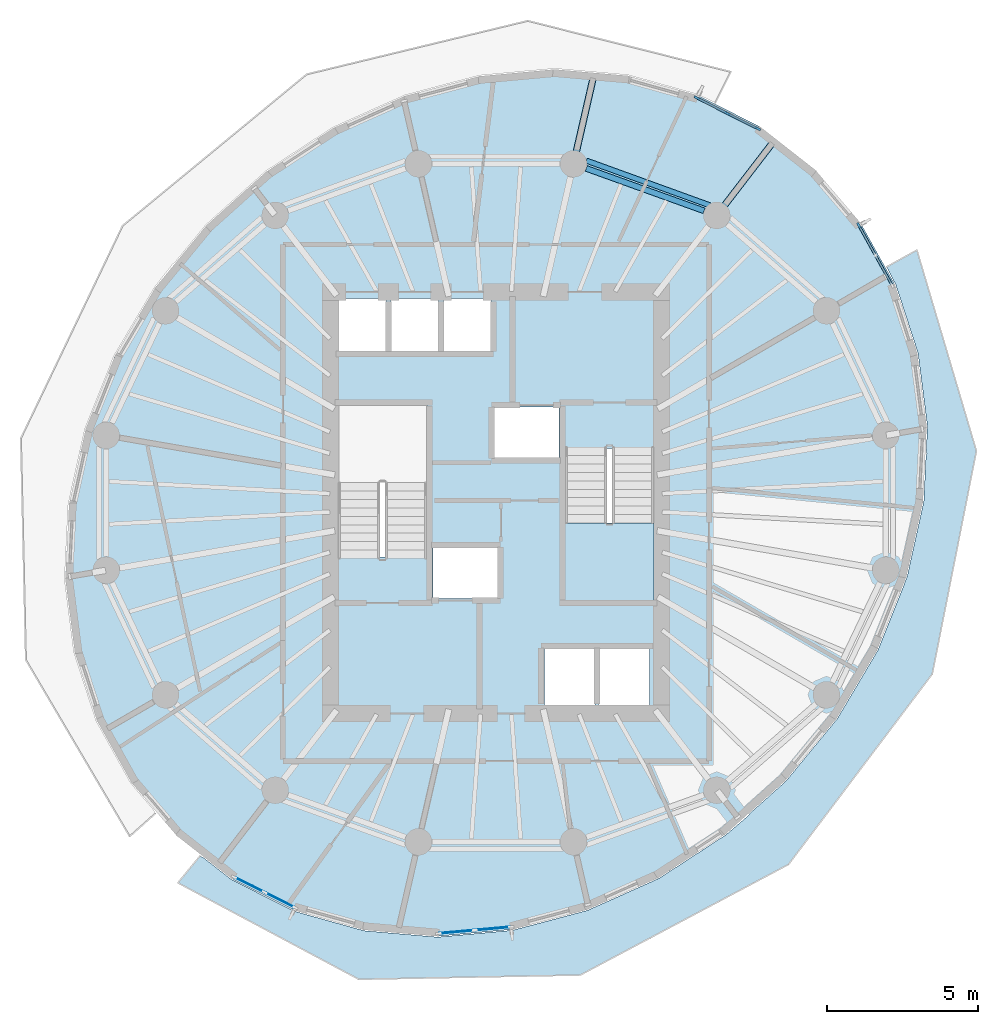
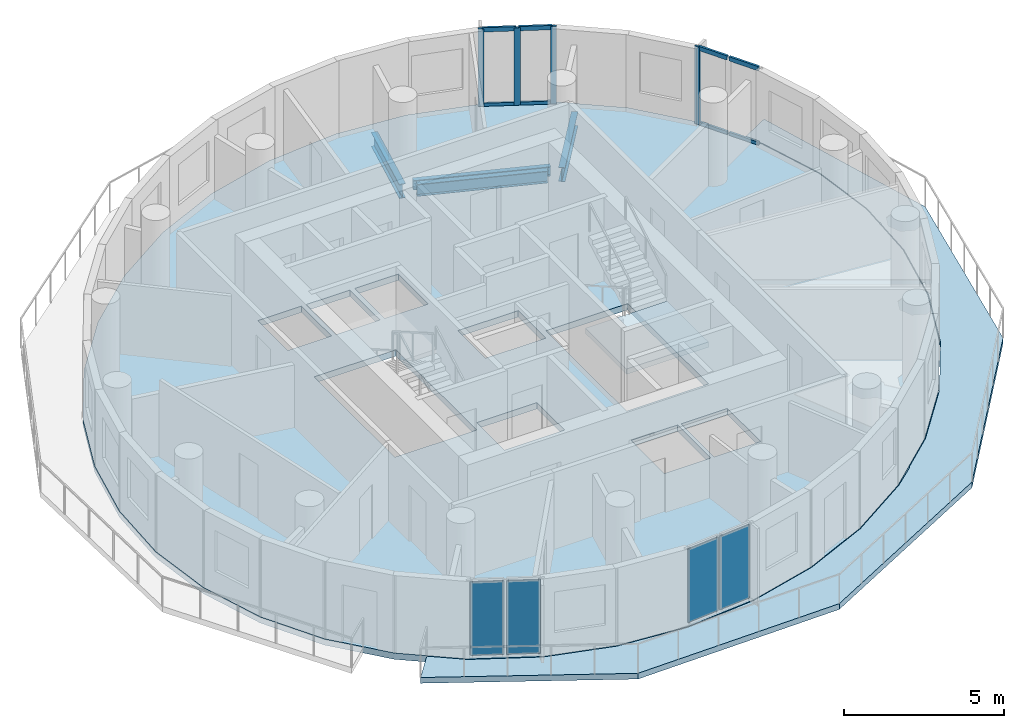
# One storey, part 3 of 10: 12 members, 4 beams, 4 plates, 3 slabs, 5 elements without a shape of their own.
"""IFC4 building model written with IfcOpenShell, lengths in metres."""

import ifcopenshell
import ifcopenshell.guid

model = None  # the IFC model being written
_history = None  # IfcOwnerHistory: only IFC2X3 demands one
_inside = {}  # id of a spatial element -> (the spatial element, [elements in it])
_under = {}  # id of a project, library or spatial element -> (it, [spatial elements below it])
_declared = {}  # id of a project -> (the project, [libraries it declares])
_typed = {}  # id of a type object -> (the type object, [elements of that type])
_made_of = {}  # id of a material, layer set ... -> (it, [elements and type objects made of it])


def new_model(schema):
    """Start an empty IFC model of exactly this schema.

    Asked for "IFC4X3", IfcOpenShell would pick the latest addendum, in which some entities
    have other attributes; the version numbers below select the first issue.
    IFC2X3 requires an IfcOwnerHistory on every rooted entity: one is made here for all.
    """
    global model, _history
    if schema == "IFC4X3":
        model = ifcopenshell.file(schema_version=(4, 3, 0, 0))
    else:
        model = ifcopenshell.file(schema=schema)
    _inside.clear()
    _under.clear()
    _declared.clear()
    _typed.clear()
    _made_of.clear()
    _history = None
    if model.schema == "IFC2X3":
        org = make("IfcOrganization", Name="unknown")
        user = make(
            "IfcPersonAndOrganization",
            ThePerson=make("IfcPerson", FamilyName="unknown"),
            TheOrganization=org,
        )
        app = make(
            "IfcApplication",
            ApplicationDeveloper=org,
            Version="unknown",
            ApplicationFullName="unknown",
            ApplicationIdentifier="unknown",
        )
        _history = make(
            "IfcOwnerHistory",
            OwningUser=user,
            OwningApplication=app,
            ChangeAction="ADDED",
            CreationDate=0,
        )
    return model


def make(cls, **values):
    """One entity of the class cls with the attributes given. An attribute that is None is left unset."""
    return model.create_entity(
        cls, **{name: value for name, value in values.items() if value is not None}
    )


def rooted(cls, **values):
    """An entity with a GlobalId (a new one), such as an element, a storey or a relation."""
    return make(cls, GlobalId=ifcopenshell.guid.new(), OwnerHistory=_history, **values)


def si_unit(unit_type, name, prefix=None):
    """IfcSIUnit, for example si_unit("LENGTHUNIT", "METRE", prefix="MILLI")."""
    return make("IfcSIUnit", UnitType=unit_type, Prefix=prefix, Name=name)


def assignment(units):
    """IfcUnitAssignment: the units of a project."""
    return None if units is None else make("IfcUnitAssignment", Units=units)


def point(xyz):
    """IfcCartesianPoint."""
    return None if xyz is None else make("IfcCartesianPoint", Coordinates=xyz)


def direction(xyz):
    """IfcDirection."""
    return None if xyz is None else make("IfcDirection", DirectionRatios=xyz)


def frame(location, z_axis=None, x_axis=None):
    """IfcAxis2Placement3D, a coordinate frame: its origin and axes. An axis left out is left unset."""
    return make(
        "IfcAxis2Placement3D",
        Location=point(location),
        Axis=direction(z_axis),
        RefDirection=direction(x_axis),
    )


def frame_2d(location, x_axis=None):
    """IfcAxis2Placement2D, a coordinate frame in the plane: its origin and x axis."""
    return make(
        "IfcAxis2Placement2D", Location=point(location), RefDirection=direction(x_axis)
    )


def origin():
    """The frame at (0, 0, 0) with its axes left unset."""
    return frame((0.0, 0.0, 0.0))


def origin_2d():
    """The frame at (0, 0) in the plane with its x axis left unset."""
    return frame_2d((0.0, 0.0))


def place(relative_to, where):
    """IfcLocalPlacement: puts the frame where relative to a parent placement (None: the world)."""
    return make(
        "IfcLocalPlacement", PlacementRelTo=relative_to, RelativePlacement=where
    )


def context(
    kind, dimensions, precision=None, world=None, true_north=None, identifier=None
):
    """IfcGeometricRepresentationContext, for example the 3D "Model" context."""
    return make(
        "IfcGeometricRepresentationContext",
        ContextIdentifier=identifier,
        ContextType=kind,
        CoordinateSpaceDimension=dimensions,
        Precision=precision,
        WorldCoordinateSystem=world,
        TrueNorth=true_north,
    )


def subcontext(parent, identifier, kind, view, scale=None):
    """IfcGeometricRepresentationSubContext, for example "Body" below "Model"."""
    return make(
        "IfcGeometricRepresentationSubContext",
        ContextIdentifier=identifier,
        ContextType=kind,
        ParentContext=parent,
        TargetScale=scale,
        TargetView=view,
    )


def project(units=None, contexts=None):
    """IfcProject with its units and contexts."""
    return rooted(
        "IfcProject",
        Name="project",
        RepresentationContexts=contexts,
        UnitsInContext=assignment(units),
    )


def spatial(cls, under=None, at=None, **own):
    """A site, building, storey or space (cls), placed at a placement, below another one or the project."""
    s = rooted(cls, ObjectPlacement=at, **own)
    if under is not None:
        _under.setdefault(under.id(), (under, []))[1].append(s)
    return s


def polyline(points):
    """IfcPolyline through the points."""
    return make("IfcPolyline", Points=[point(p) for p in points])


def profile(cls, at=None, kind="AREA", **sizes):
    """A parametric profile (cls). Its sizes go by their IFC names, for example OverallWidth=200.0."""
    return make(cls, ProfileType=kind, Position=at, **sizes)


def rectangle(**sizes):
    """IfcRectangleProfileDef."""
    return profile("IfcRectangleProfileDef", **sizes)


def i_section(**sizes):
    """IfcIShapeProfileDef."""
    return profile("IfcIShapeProfileDef", **sizes)


def outline(outer, holes=None, kind="AREA"):
    """IfcArbitraryClosedProfileDef: a profile drawn as a closed curve; with holes, ...WithVoids."""
    if holes is None:
        return make("IfcArbitraryClosedProfileDef", ProfileType=kind, OuterCurve=outer)
    return make(
        "IfcArbitraryProfileDefWithVoids",
        ProfileType=kind,
        OuterCurve=outer,
        InnerCurves=holes,
    )


def extrude(swept, where, along, depth):
    """IfcExtrudedAreaSolid: the profile swept, set in the frame where, extruded along a direction by depth."""
    return make(
        "IfcExtrudedAreaSolid",
        SweptArea=swept,
        Position=where,
        ExtrudedDirection=direction(along),
        Depth=depth,
    )


def shape(context_of_items, identifier, shape_type, items):
    """IfcShapeRepresentation: the items that make up one representation, for example the "Body"."""
    return make(
        "IfcShapeRepresentation",
        ContextOfItems=context_of_items,
        RepresentationIdentifier=identifier,
        RepresentationType=shape_type,
        Items=items,
    )


def material(Name=None, Category=None):
    """IfcMaterial."""
    return make("IfcMaterial", Name=Name, Category=Category)


def layer(
    of_material, thickness, ventilated=None, Name=None, Category=None, Priority=None
):
    """IfcMaterialLayer: one layer of a wall or slab, of a material (None: an air gap)."""
    return make(
        "IfcMaterialLayer",
        Material=of_material,
        LayerThickness=thickness,
        IsVentilated=ventilated,
        Name=Name,
        Category=Category,
        Priority=Priority,
    )


def layer_set(layers, Name=None):
    """IfcMaterialLayerSet."""
    return make("IfcMaterialLayerSet", MaterialLayers=layers, LayerSetName=Name)


def material_profile(
    of_material, cross_section, Name=None, Category=None, Priority=None
):
    """IfcMaterialProfile: a cross section and its material."""
    return make(
        "IfcMaterialProfile",
        Name=Name,
        Material=of_material,
        Profile=cross_section,
        Priority=Priority,
        Category=Category,
    )


def profile_set(profiles, Name=None, composite=None):
    """IfcMaterialProfileSet."""
    return make(
        "IfcMaterialProfileSet",
        Name=Name,
        MaterialProfiles=profiles,
        CompositeProfile=composite,
    )


def made_of(thing, what):
    """Note that an element or type object is made of a material, layer set ...; save() writes the relation."""
    if what is not None:
        _made_of.setdefault(what.id(), (what, []))[1].append(thing)
    return thing


def type_object(cls, material=None, **own):
    """A type object (cls), such as IfcWallType, which elements share."""
    return made_of(rooted(cls, **own), material)


def element(
    cls,
    number,
    at=None,
    inside=None,
    cuts=None,
    type_object=None,
    material=None,
    context=None,
    identifier="Body",
    shape_type=None,
    held_by="IfcProductDefinitionShape",
    body=None,
    shapes=None,
    **own,
):
    """One element of the class cls, such as IfcWall. Its Tag is "e" and its number.

    at: its placement. inside: the storey or other place that contains it. cuts: it is an
    opening in that element (IfcRelVoidsElement). A single representation is given by context,
    identifier, shape_type and body (its items); several are given by shapes. held_by: the class
    of the entity that holds the representations. save() writes the other relations.
    """
    e = rooted(cls, Tag="e%d" % number, ObjectPlacement=at, **own)
    if body is not None:
        shapes = [shape(context, identifier, shape_type, body)]
    if shapes is not None:
        e.Representation = make(held_by, Representations=shapes)
    if inside is not None:
        _inside.setdefault(inside.id(), (inside, []))[1].append(e)
    if cuts is not None:
        rooted(
            "IfcRelVoidsElement", RelatingBuildingElement=cuts, RelatedOpeningElement=e
        )
    if type_object is not None:
        _typed.setdefault(type_object.id(), (type_object, []))[1].append(e)
    return made_of(e, material)


def aggregate(whole, parts):
    """IfcRelAggregates: a whole, such as a stair, and the parts it consists of."""
    return rooted("IfcRelAggregates", RelatingObject=whole, RelatedObjects=parts)


def save(model, path):
    """Write the relations noted so far, then the file.

    IfcRelAggregates (storeys below a building ...), IfcRelContainedInSpatialStructure (elements
    in a storey), IfcRelDefinesByType, IfcRelAssociatesMaterial and IfcRelDeclares: one each for
    every whole, place, type object, material and project.
    """
    for whole, parts in _under.values():
        aggregate(whole, parts)
    for where, things in _inside.values():
        rooted(
            "IfcRelContainedInSpatialStructure",
            RelatedElements=things,
            RelatingStructure=where,
        )
    for kind, things in _typed.values():
        rooted("IfcRelDefinesByType", RelatedObjects=things, RelatingType=kind)
    for what, things in _made_of.values():
        rooted("IfcRelAssociatesMaterial", RelatedObjects=things, RelatingMaterial=what)
    for by, libraries in _declared.values():
        rooted("IfcRelDeclares", RelatingContext=by, RelatedDefinitions=libraries)
    model.write(path)


model = new_model("IFC4")

# Units and contexts
model_context = context("Model", 3, precision=1e-05, world=origin(), true_north=direction((0.0, 1.0)))
body_context = subcontext(model_context, "Body", "Model", "MODEL_VIEW")
ifc_project = project(units=[si_unit("LENGTHUNIT", "METRE"), si_unit("AREAUNIT", "SQUARE_METRE"), si_unit("VOLUMEUNIT", "CUBIC_METRE"), si_unit("PLANEANGLEUNIT", "RADIAN"), si_unit("MASSUNIT", "GRAM", prefix="KILO")], contexts=[model_context])

# Site, building, storey
site_placement = place(None, origin())
site = spatial("IfcSite", under=ifc_project, at=site_placement, CompositionType="ELEMENT")
building_placement = place(site_placement, origin())
building = spatial("IfcBuilding", under=site, at=building_placement, Name="Veldorim Arch Residences", CompositionType="ELEMENT")
storey_placement = place(building_placement, frame((0.0, 0.0, 188.639892578125)))
storey = spatial("IfcBuildingStorey", under=building, at=storey_placement, Name="L56", CompositionType="ELEMENT", Elevation=188.639892578125)

# Beams
ifc_material_1 = material(Name="Steel S355", Category="steel")
ifc_material_profile_1 = material_profile(ifc_material_1, i_section(OverallWidth=0.2119140625, OverallDepth=0.54443359375, WebThickness=0.0126953125, FlangeThickness=0.021240234375, at=origin_2d()), Name="UB533x210x122")
ifc_profile_set_1 = profile_set([ifc_material_profile_1], Name="Steel S355")
beam_type_1 = type_object("IfcBeamType", Name="Structural Steel Beam UB533x210x122", PredefinedType="BEAM", material=ifc_profile_set_1)
beam_1_placement = place(storey_placement, frame((39.345703125, 33.561279296875, -0.51220703125), z_axis=(0.609236633361, 0.792988476947, 0.0), x_axis=(-0.792988476947, 0.609236633361, 0.0)))
element("IfcBeam", 1, at=beam_1_placement, inside=storey, type_object=beam_type_1, Name="L56 radial edge cantilever girder 03", PredefinedType="BEAM", context=body_context, shape_type="SweptSolid", body=[
    extrude(i_section(OverallWidth=0.2119140625, OverallDepth=0.54443359375, WebThickness=0.0126953125, FlangeThickness=0.021240234375, at=origin_2d()), origin(), (0.0, 0.0, 1.0), 3.08642578125),
])
beam_2_placement = place(storey_placement, frame((34.57958984375, 35.27880859375, -0.51220703125), z_axis=(0.222962695029, 0.974826977789, 0.0), x_axis=(-0.974826977789, 0.222962695029, 0.0)))
element("IfcBeam", 2, at=beam_2_placement, inside=storey, type_object=beam_type_1, Name="L56 radial edge cantilever girder 04", PredefinedType="BEAM", context=body_context, shape_type="SweptSolid", body=[
    extrude(i_section(OverallWidth=0.2119140625, OverallDepth=0.54443359375, WebThickness=0.0126953125, FlangeThickness=0.021240234375, at=origin_2d()), origin(), (0.0, 0.0, 1.0), 2.98046875),
])
ifc_material_2 = material(Name="Steel S355", Category="steel")
ifc_material_profile_2 = material_profile(ifc_material_2, i_section(OverallWidth=0.172119140625, OverallDepth=0.35791015625, WebThickness=0.008056640625, FlangeThickness=0.012939453125, at=origin_2d()), Name="UB356x171x57")
ifc_profile_set_2 = profile_set([ifc_material_profile_2], Name="Steel S355")
beam_type_2 = type_object("IfcBeamType", Name="Structural Steel Spandrel UB356x171x57", PredefinedType="SPANDREL", material=ifc_profile_set_2)
beam_3_placement = place(storey_placement, frame((39.112060546875, 33.87646484375, -0.43896484375), z_axis=(-0.940164695555, 0.340720332871, 0.0), x_axis=(-0.340720332871, -0.940164695555, 0.0)))
element("IfcBeam", 3, at=beam_3_placement, inside=storey, type_object=beam_type_2, Name="L56 perimeter chord spandrel beam 03", PredefinedType="SPANDREL", context=body_context, shape_type="SweptSolid", body=[
    extrude(i_section(OverallWidth=0.172119140625, OverallDepth=0.35791015625, WebThickness=0.008056640625, FlangeThickness=0.012939453125, at=origin_2d()), origin(), (0.0, 0.0, 1.0), 4.370849609375),
])
ifc_material_3 = material(Name="Steel S355", Category="steel")
ifc_material_profile_3 = material_profile(ifc_material_3, i_section(OverallWidth=0.19140625, OverallDepth=0.4599609375, WebThickness=0.010009765625, FlangeThickness=0.01611328125, at=origin_2d()), Name="UB457x191x82")
ifc_profile_set_3 = profile_set([ifc_material_profile_3], Name="Steel S355")
beam_type_3 = type_object("IfcBeamType", Name="Structural Steel Spandrel UB457x191x82", PredefinedType="SPANDREL", material=ifc_profile_set_3)
beam_4_placement = place(storey_placement, frame((38.91015625, 33.69775390625, -0.469970703125), z_axis=(-0.940811035395, 0.338931550137, 0.0), x_axis=(-0.338931550137, -0.940811035395, 0.0)))
element("IfcBeam", 4, at=beam_4_placement, inside=storey, type_object=beam_type_3, Name="L56 perimeter ring tie beam 03", PredefinedType="SPANDREL", context=body_context, shape_type="SweptSolid", body=[
    extrude(i_section(OverallWidth=0.19140625, OverallDepth=0.4599609375, WebThickness=0.010009765625, FlangeThickness=0.01611328125, at=origin_2d()), origin(), (0.0, 0.0, 1.0), 4.15771484375),
])

# Curtain wall, members
ifc_material_4 = material(Name="Aluminium", Category="aluminium")
curtain_wall_type = type_object("IfcCurtainWallType", Name="Zone 4 High-Altitude Unitised Curtain Wall", PredefinedType="NOTDEFINED", material=ifc_material_4)
curtain_wall_1_placement = place(storey_placement, origin())
curtain_wall_1 = element("IfcCurtainWall", 5, at=curtain_wall_1_placement, inside=storey, type_object=curtain_wall_type, Name="L56 unitised curtain wall bay 02", PredefinedType="NOTDEFINED")
ifc_material_5 = material(Name="Aluminium", Category="aluminium")
ifc_material_profile_4 = material_profile(ifc_material_5, rectangle(XDim=0.074951171875, YDim=0.195068359375, at=origin_2d()), Name="ALU_MUL_75x195")
ifc_profile_set_4 = profile_set([ifc_material_profile_4], Name="Aluminium")
member_type_1 = type_object("IfcMemberType", Name="Zone 4 High-Altitude Unitised Curtain Wall Mullion 75x195", PredefinedType="MULLION", material=ifc_profile_set_4)
member_1_placement = place(storey_placement, frame((38.669189453125, 37.446533203125, 0.0), z_axis=(0.0, 0.0, 1.0), x_axis=(0.448866145175, 0.893599006107, 0.0)))
member_1 = element("IfcMember", 6, at=member_1_placement, type_object=member_type_1, Name="CW-Z4 mullion 1", PredefinedType="MULLION", context=body_context, shape_type="SweptSolid", body=[
    extrude(rectangle(XDim=0.074951171875, YDim=0.195068359375, at=origin_2d()), origin(), (0.0, 0.0, 1.0), 2.960205078125),
])
member_2_placement = place(storey_placement, frame((39.68408203125, 36.9365234375, 0.0), z_axis=(0.0, 0.0, 1.0), x_axis=(0.448866145175, 0.893599006107, 0.0)))
member_2 = element("IfcMember", 7, at=member_2_placement, type_object=member_type_1, Name="CW-Z4 mullion 2", PredefinedType="MULLION", context=body_context, shape_type="SweptSolid", body=[
    extrude(rectangle(XDim=0.074951171875, YDim=0.195068359375, at=origin_2d()), origin(), (0.0, 0.0, 1.0), 2.960205078125),
])
member_3_placement = place(storey_placement, frame((40.69921875, 36.4267578125, 0.0), z_axis=(0.0, 0.0, 1.0), x_axis=(0.448866145175, 0.893599006107, 0.0)))
member_3 = element("IfcMember", 8, at=member_3_placement, type_object=member_type_1, Name="CW-Z4 mullion 3", PredefinedType="MULLION", context=body_context, shape_type="SweptSolid", body=[
    extrude(rectangle(XDim=0.074951171875, YDim=0.195068359375, at=origin_2d()), origin(), (0.0, 0.0, 1.0), 2.960205078125),
])

# Curtain wall, member
curtain_wall_2_placement = place(storey_placement, origin())
curtain_wall_2 = element("IfcCurtainWall", 9, at=curtain_wall_2_placement, inside=storey, type_object=curtain_wall_type, Name="L56 unitised curtain wall bay 35", PredefinedType="NOTDEFINED")
member_4_placement = place(storey_placement, frame((44.051513671875, 33.2119140625, 0.0), z_axis=(0.0, 0.0, 1.0), x_axis=(0.874022577874, 0.485885308861, 0.0)))
member_4 = element("IfcMember", 10, at=member_4_placement, type_object=member_type_1, Name="CW-Z4 mullion 1", PredefinedType="MULLION", context=body_context, shape_type="SweptSolid", body=[
    extrude(rectangle(XDim=0.074951171875, YDim=0.195068359375, at=origin_2d()), origin(), (0.0, 0.0, 1.0), 2.960205078125),
])

# Member
ifc_material_6 = material(Name="Aluminium", Category="aluminium")
ifc_material_profile_5 = material_profile(ifc_material_6, rectangle(XDim=0.074951171875, YDim=0.1650390625, at=origin_2d()), Name="ALU_TRN_75x165")
ifc_profile_set_5 = profile_set([ifc_material_profile_5], Name="Aluminium")
member_type_2 = type_object("IfcMemberType", Name="Zone 4 High-Altitude Unitised Curtain Wall Transom 75x165", PredefinedType="USERDEFINED", material=ifc_profile_set_5)
member_5_placement = place(storey_placement, frame((38.70263671875, 37.4296875, 0.03759765625), z_axis=(0.89355102998, -0.448961642929, 0.0), x_axis=(0.448961642929, 0.89355102998, 0.0)))
member_5 = element("IfcMember", 11, at=member_5_placement, type_object=member_type_2, Name="CW-Z4 transom 1.1", ObjectType="TRANSOM", PredefinedType="USERDEFINED", context=body_context, shape_type="SweptSolid", body=[
    extrude(rectangle(XDim=0.074951171875, YDim=0.1650390625, at=origin_2d()), origin(), (0.0, 0.0, 1.0), 1.06103515625),
])

member_6_placement = place(storey_placement, frame((38.70263671875, 37.4296875, 2.922607421875), z_axis=(0.89355102998, -0.448961642929, 0.0), x_axis=(0.448961642929, 0.89355102998, 0.0)))
member_6 = element("IfcMember", 12, at=member_6_placement, type_object=member_type_2, Name="CW-Z4 transom 1.2", ObjectType="TRANSOM", PredefinedType="USERDEFINED", context=body_context, shape_type="SweptSolid", body=[
    extrude(rectangle(XDim=0.074951171875, YDim=0.1650390625, at=origin_2d()), origin(), (0.0, 0.0, 1.0), 1.06103515625),
])

member_7_placement = place(storey_placement, frame((39.7177734375, 36.919677734375, 0.03759765625), z_axis=(0.893643337386, -0.448777879965, 0.0), x_axis=(0.448777879965, 0.893643337386, 0.0)))
member_7 = element("IfcMember", 13, at=member_7_placement, type_object=member_type_2, Name="CW-Z4 transom 2.1", ObjectType="TRANSOM", PredefinedType="USERDEFINED", context=body_context, shape_type="SweptSolid", body=[
    extrude(rectangle(XDim=0.074951171875, YDim=0.1650390625, at=origin_2d()), origin(), (0.0, 0.0, 1.0), 1.060791015625),
])

member_8_placement = place(storey_placement, frame((39.7177734375, 36.919677734375, 2.922607421875), z_axis=(0.893643337386, -0.448777879965, 0.0), x_axis=(0.448777879965, 0.893643337386, 0.0)))
member_8 = element("IfcMember", 14, at=member_8_placement, type_object=member_type_2, Name="CW-Z4 transom 2.2", ObjectType="TRANSOM", PredefinedType="USERDEFINED", context=body_context, shape_type="SweptSolid", body=[
    extrude(rectangle(XDim=0.074951171875, YDim=0.1650390625, at=origin_2d()), origin(), (0.0, 0.0, 1.0), 1.060791015625),
])

aggregate(curtain_wall_1, [member_1, member_2, member_3, member_5, member_6, member_7, member_8])

member_9_placement = place(storey_placement, frame((44.06982421875, 33.17919921875, 0.03759765625), z_axis=(0.485818780603, -0.874059558848, 0.0), x_axis=(0.874059558848, 0.485818780603, 0.0)))
member_9 = element("IfcMember", 15, at=member_9_placement, type_object=member_type_2, Name="CW-Z4 transom 1.1", ObjectType="TRANSOM", PredefinedType="USERDEFINED", context=body_context, shape_type="SweptSolid", body=[
    extrude(rectangle(XDim=0.074951171875, YDim=0.1650390625, at=origin_2d()), origin(), (0.0, 0.0, 1.0), 1.060791015625),
])

member_10_placement = place(storey_placement, frame((44.06982421875, 33.17919921875, 2.922607421875), z_axis=(0.485818780603, -0.874059558848, 0.0), x_axis=(0.874059558848, 0.485818780603, 0.0)))
member_10 = element("IfcMember", 16, at=member_10_placement, type_object=member_type_2, Name="CW-Z4 transom 1.2", ObjectType="TRANSOM", PredefinedType="USERDEFINED", context=body_context, shape_type="SweptSolid", body=[
    extrude(rectangle(XDim=0.074951171875, YDim=0.1650390625, at=origin_2d()), origin(), (0.0, 0.0, 1.0), 1.060791015625),
])

member_11_placement = place(storey_placement, frame((44.62158203125, 32.1865234375, 0.03759765625), z_axis=(0.485896850133, -0.874016161768, 0.0), x_axis=(0.874016161768, 0.485896850133, 0.0)))
member_11 = element("IfcMember", 17, at=member_11_placement, type_object=member_type_2, Name="CW-Z4 transom 2.1", ObjectType="TRANSOM", PredefinedType="USERDEFINED", context=body_context, shape_type="SweptSolid", body=[
    extrude(rectangle(XDim=0.074951171875, YDim=0.1650390625, at=origin_2d()), origin(), (0.0, 0.0, 1.0), 1.061279296875),
])

member_12_placement = place(storey_placement, frame((44.62158203125, 32.1865234375, 2.922607421875), z_axis=(0.485896850133, -0.874016161768, 0.0), x_axis=(0.874016161768, 0.485896850133, 0.0)))
member_12 = element("IfcMember", 18, at=member_12_placement, type_object=member_type_2, Name="CW-Z4 transom 2.2", ObjectType="TRANSOM", PredefinedType="USERDEFINED", context=body_context, shape_type="SweptSolid", body=[
    extrude(rectangle(XDim=0.074951171875, YDim=0.1650390625, at=origin_2d()), origin(), (0.0, 0.0, 1.0), 1.061279296875),
])

aggregate(curtain_wall_2, [member_4, member_9, member_10, member_11, member_12])

# Slab
ifc_material_7 = material(Name="Concrete C40/50", Category="concrete")
ifc_layer_1 = layer(ifc_material_7, 0.219970703125, Name="Planted Crescent Cantilever Balcony Slab 220")
ifc_layer_set_1 = layer_set([ifc_layer_1], Name="Concrete C40/50")
slab_type_1 = type_object("IfcSlabType", Name="Planted Crescent Cantilever Balcony Slab 220", PredefinedType="FLOOR", material=ifc_layer_set_1)
slab_1_placement = place(storey_placement, frame((0.0, 0.0, -0.219970703125)))
element("IfcSlab", 19, at=slab_1_placement, inside=storey, type_object=slab_type_1, Name="L56 planted crescent balcony slab B", PredefinedType="FLOOR", context=body_context, shape_type="SweptSolid", body=[
    extrude(outline(polyline([(22.285400390625, 12.21484375), (23.21337890625, 11.488525390625), (25.31494140625, 10.432861328125), (27.619384765625, 9.789794921875), (30.056884765625, 9.578369140625), (32.552978515625, 9.805419921875), (35.032470703125, 10.46337890625), (37.41943359375, 11.53271484375), (39.641845703125, 12.980712890625), (40.37158203125, 13.605224609375), (40.44677734375, 13.70166015625), (41.6318359375, 14.76318359375), (43.32958984375, 16.826416015625), (44.68310546875, 19.107421875), (45.651611328125, 21.537109375), (46.205322265625, 24.041748046875), (46.27783203125, 25.5263671875), (46.30859375, 25.648681640625), (46.288330078125, 25.74267578125), (46.32763671875, 26.54541015625), (46.014404296875, 28.9716796875), (45.275390625, 31.247314453125), (44.972900390625, 31.835693359375), (45.978515625, 32.393310546875), (47.95458984375, 25.723388671875), (46.487548828125, 18.31201171875), (41.7158203125, 11.99169921875), (34.799560546875, 8.318115234375), (27.44384765625, 8.176025390625), (21.435302734375, 11.379150390625), (22.165283203125, 12.267822265625), (22.285400390625, 12.21484375)])), origin(), (0.0, 0.0, 1.0), 0.219970703125),
])

# Stair, slab
ifc_material_8 = material(Name="Concrete C40/50", Category="concrete")
stair_type = type_object("IfcStairType", Name="Reinforced Concrete Dogleg Exit Staircase", PredefinedType="HALF_TURN_STAIR", material=ifc_material_8)
stair_placement = place(storey_placement, origin())
stair = element("IfcStair", 20, at=stair_placement, inside=storey, type_object=stair_type, Name="L56 Exit Staircase ST-2", PredefinedType="HALF_TURN_STAIR")
ifc_material_9 = material(Name="Concrete C40/50", Category="concrete")
ifc_layer_2 = layer(ifc_material_9, 0.199951171875, Name="Reinforced Concrete Stair Landing 200")
ifc_layer_set_2 = layer_set([ifc_layer_2], Name="Concrete C40/50")
slab_type_2 = type_object("IfcSlabType", Name="Reinforced Concrete Stair Landing 200", PredefinedType="LANDING", material=ifc_layer_set_2)
slab_2_placement = place(storey_placement, frame((0.0, 0.0, 1.400146484375)))
slab_2 = element("IfcSlab", 21, at=slab_2_placement, type_object=slab_type_2, Name="ST-2 landing 1", PredefinedType="LANDING", context=body_context, shape_type="SweptSolid", body=[
    extrude(outline(polyline([(34.2900390625, 23.330078125), (34.2900390625, 20.75), (37.25, 20.75), (37.25, 23.330078125), (34.2900390625, 23.330078125)])), origin(), (0.0, 0.0, 1.0), 0.199951171875),
])
aggregate(stair, [slab_2])

# Slab
ifc_material_10 = material(Name="Concrete C40/50", Category="concrete")
ifc_layer_3 = layer(ifc_material_10, 0.239990234375, Name="Typical Residential Floor Slab 240")
ifc_layer_set_3 = layer_set([ifc_layer_3], Name="Concrete C40/50")
slab_type_3 = type_object("IfcSlabType", Name="Typical Residential Floor Slab 240", PredefinedType="FLOOR", material=ifc_layer_set_3)
slab_3_placement = place(storey_placement, frame((0.0, 0.0, -0.239990234375)))
element("IfcSlab", 22, at=slab_3_placement, inside=storey, type_object=slab_type_3, Name="L56 tower structural floor slab", PredefinedType="FLOOR", context=body_context, shape_type="SweptSolid", body=[
    extrude(outline(polyline([(42.603515625, 35.057373046875), (40.773193359375, 36.490234375), (38.676025390625, 37.543701171875), (36.376220703125, 38.185546875), (33.943115234375, 38.396484375), (31.451416015625, 38.169921875), (28.97607421875, 37.512939453125), (26.592529296875, 36.4453125), (24.37353515625, 34.99951171875), (22.38623046875, 33.21923828125), (20.69091796875, 31.1591796875), (19.33935546875, 28.881591796875), (18.372314453125, 26.45556640625), (17.819580078125, 23.954833984375), (17.697509765625, 21.45556640625), (18.010009765625, 19.03369140625), (18.747802734375, 16.7626953125), (19.887939453125, 14.71142578125), (21.396484375, 12.942626953125), (23.226806640625, 11.509765625), (25.323974609375, 10.456298828125), (27.623779296875, 9.814453125), (30.056884765625, 9.603515625), (32.548583984375, 9.830078125), (35.02392578125, 10.487060546875), (37.407470703125, 11.5546875), (39.62646484375, 13.00048828125), (41.61376953125, 14.78076171875), (43.30908203125, 16.8408203125), (44.66064453125, 19.118408203125), (45.627685546875, 21.54443359375), (46.180419921875, 24.045166015625), (46.302490234375, 26.54443359375), (45.989990234375, 28.96630859375), (45.252197265625, 31.2373046875), (44.112060546875, 33.28857421875), (42.603515625, 35.057373046875)]), holes=[polyline([(33.610107421875, 17.2099609375), (33.610107421875, 19.2900390625), (35.2900390625, 19.2900390625), (35.2900390625, 17.2099609375), (33.610107421875, 17.2099609375)]), polyline([(35.409912109375, 17.2099609375), (35.409912109375, 19.2900390625), (37.090087890625, 19.2900390625), (37.090087890625, 17.2099609375), (35.409912109375, 17.2099609375)]), polyline([(29.909912109375, 20.81494140625), (29.909912109375, 22.544921875), (32.090087890625, 22.544921875), (32.090087890625, 20.81494140625), (29.909912109375, 20.81494140625)]), polyline([(34.2900390625, 20.75), (34.2900390625, 25.804931640625), (37.25, 25.804931640625), (37.25, 20.75), (34.2900390625, 20.75)]), polyline([(26.75, 22.195068359375), (26.75, 27.25), (29.7099609375, 27.25), (29.7099609375, 22.195068359375), (26.75, 22.195068359375)]), polyline([(31.909912109375, 25.455078125), (31.909912109375, 27.18505859375), (34.090087890625, 27.18505859375), (34.090087890625, 25.455078125), (31.909912109375, 25.455078125)]), polyline([(26.760009765625, 28.909912109375), (26.760009765625, 30.7900390625), (28.340087890625, 30.7900390625), (28.340087890625, 28.909912109375), (26.760009765625, 28.909912109375)]), polyline([(28.510009765625, 30.7900390625), (30.090087890625, 30.7900390625), (30.090087890625, 28.909912109375), (28.510009765625, 28.909912109375), (28.510009765625, 30.7900390625)]), polyline([(30.260009765625, 30.7900390625), (31.840087890625, 30.7900390625), (31.840087890625, 28.909912109375), (30.260009765625, 28.909912109375), (30.260009765625, 30.7900390625)])]), origin(), (0.0, 0.0, 1.0), 0.239990234375),
])

# Curtain wall, plates
curtain_wall_3_placement = place(storey_placement, origin())
curtain_wall_3 = element("IfcCurtainWall", 23, at=curtain_wall_3_placement, inside=storey, type_object=curtain_wall_type, Name="L56 unitised curtain wall bay 20", PredefinedType="NOTDEFINED")
ifc_material_11 = material(Name="Laminated Low-E Glass", Category="glass")
ifc_layer_4 = layer(ifc_material_11, 0.030029296875, Name="Zone 4 High-Altitude Unitised Curtain Wall Glazing Panel 30")
ifc_layer_set_4 = layer_set([ifc_layer_4], Name="Laminated Low-E Glass")
plate_type = type_object("IfcPlateType", Name="Zone 4 High-Altitude Unitised Curtain Wall Glazing Panel 30", PredefinedType="CURTAIN_PANEL", material=ifc_layer_set_4)
plate_1_placement = place(storey_placement, frame((24.823486328125, 10.808349609375, 0.0751953125), z_axis=(0.0, 0.0, 1.0), x_axis=(-0.893599006107, 0.448866145175, 0.0)))
plate_1 = element("IfcPlate", 24, at=plate_1_placement, type_object=plate_type, Name="CW-Z4 panel 1.1", PredefinedType="CURTAIN_PANEL", context=body_context, shape_type="SweptSolid", body=[
    extrude(rectangle(XDim=1.060791015625, YDim=0.030029296875, at=origin_2d()), origin(), (0.0, 0.0, 1.0), 2.81005859375),
])
plate_2_placement = place(storey_placement, frame((23.808349609375, 11.318359375, 0.0751953125), z_axis=(0.0, 0.0, 1.0), x_axis=(-0.893599006107, 0.448866145175, 0.0)))
plate_2 = element("IfcPlate", 25, at=plate_2_placement, type_object=plate_type, Name="CW-Z4 panel 2.1", PredefinedType="CURTAIN_PANEL", context=body_context, shape_type="SweptSolid", body=[
    extrude(rectangle(XDim=1.060791015625, YDim=0.030029296875, at=origin_2d()), origin(), (0.0, 0.0, 1.0), 2.81005859375),
])
aggregate(curtain_wall_3, [plate_1, plate_2])

curtain_wall_4_placement = place(storey_placement, origin())
curtain_wall_4 = element("IfcCurtainWall", 26, at=curtain_wall_4_placement, inside=storey, type_object=curtain_wall_type, Name="L56 unitised curtain wall bay 23", PredefinedType="NOTDEFINED")
plate_3_placement = place(storey_placement, frame((31.89892578125, 9.861328125, 0.0751953125), z_axis=(0.0, 0.0, 1.0), x_axis=(-0.9958945167, -0.090521332333, 0.0)))
plate_3 = element("IfcPlate", 27, at=plate_3_placement, type_object=plate_type, Name="CW-Z4 panel 1.1", PredefinedType="CURTAIN_PANEL", context=body_context, shape_type="SweptSolid", body=[
    extrude(rectangle(XDim=1.138671875, YDim=0.030029296875, at=origin_2d()), origin(), (0.0, 0.0, 1.0), 2.81005859375),
])
plate_4_placement = place(storey_placement, frame((30.6904296875, 9.75146484375, 0.0751953125), z_axis=(0.0, 0.0, 1.0), x_axis=(-0.9958945167, -0.090521332333, 0.0)))
plate_4 = element("IfcPlate", 28, at=plate_4_placement, type_object=plate_type, Name="CW-Z4 panel 2.1", PredefinedType="CURTAIN_PANEL", context=body_context, shape_type="SweptSolid", body=[
    extrude(rectangle(XDim=1.138671875, YDim=0.030029296875, at=origin_2d()), origin(), (0.0, 0.0, 1.0), 2.81005859375),
])
aggregate(curtain_wall_4, [plate_3, plate_4])

save(model, "model.ifc")
